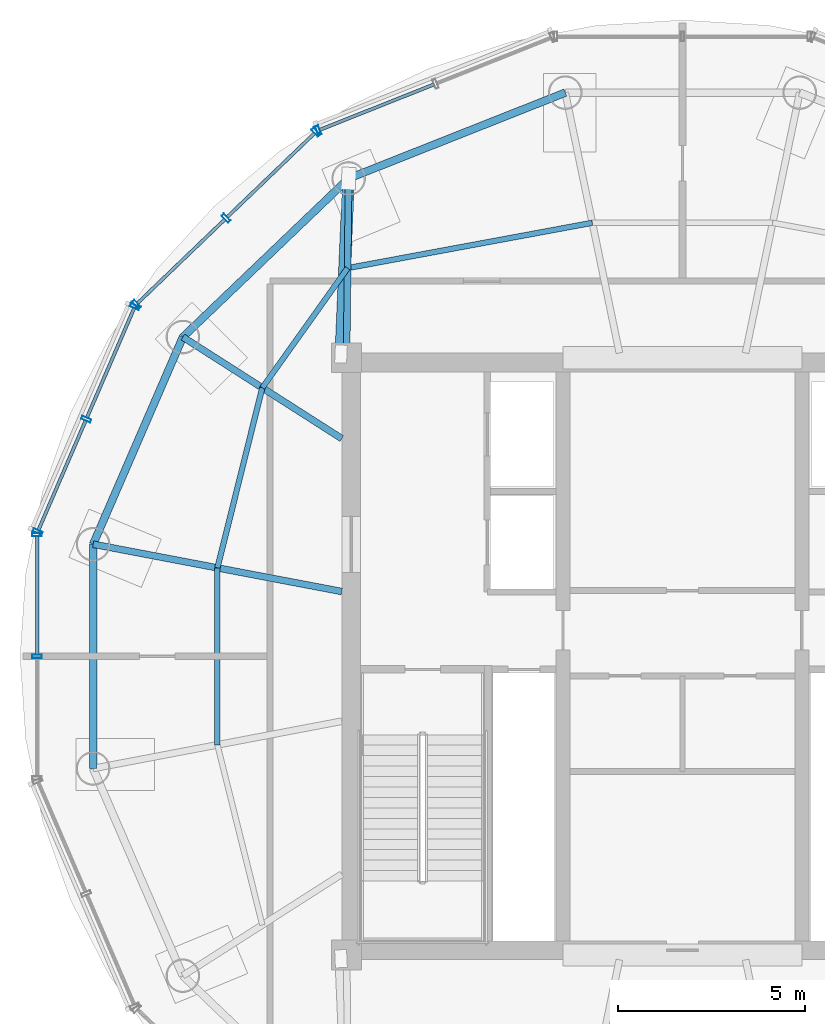
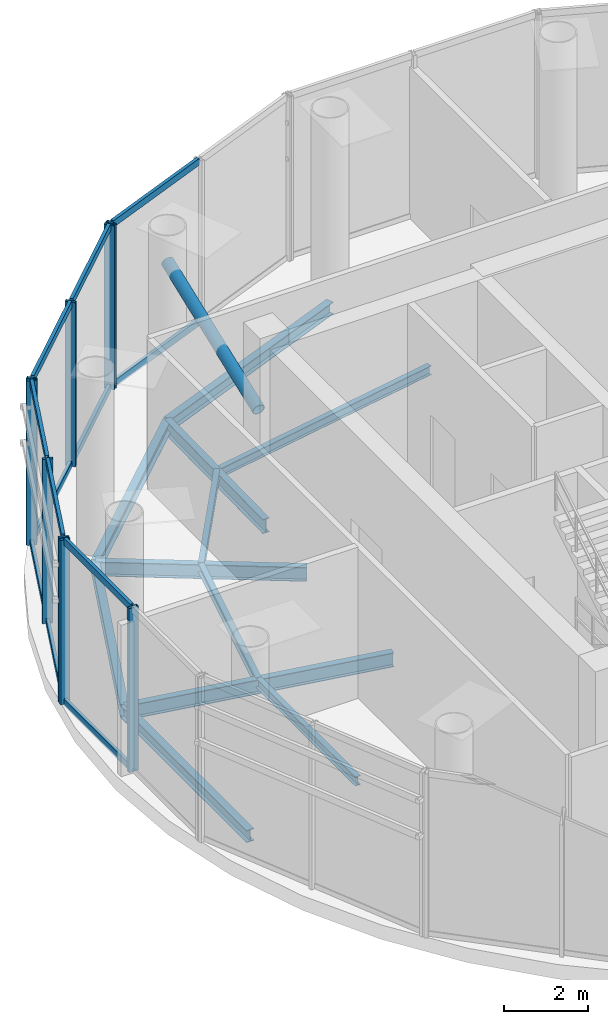
# One storey, part 6 of 15: 22 members, 11 beams, 4 elements without a shape of their own.
"""IFC4 building model written with IfcOpenShell, lengths in metres."""

from ifc_helpers import new_model, si_unit, direction, frame, origin, origin_2d, place, context, subcontext, project, spatial, hollow_rectangle, hollow_circle, i_section, extrude, source, transform, mapped, material, material_profile, profile_set, type_object, element, aggregate, save


model = new_model("IFC4")

# Units and contexts
model_context = context("Model", 3, precision=1e-05, world=origin(), true_north=direction((-0.2419218956, 0.970295726276)))
body_context = subcontext(model_context, "Body", "Model", "MODEL_VIEW")
ifc_project = project(units=[si_unit("LENGTHUNIT", "METRE"), si_unit("AREAUNIT", "SQUARE_METRE"), si_unit("VOLUMEUNIT", "CUBIC_METRE"), si_unit("PLANEANGLEUNIT", "RADIAN"), si_unit("MASSUNIT", "GRAM", prefix="KILO")], contexts=[model_context])

# Site, building, storey
site_placement = place(None, origin())
site = spatial("IfcSite", under=ifc_project, at=site_placement, CompositionType="ELEMENT")
building_placement = place(site_placement, origin())
building = spatial("IfcBuilding", under=site, at=building_placement, Name="Cobrevalo Terracotta Tower", CompositionType="ELEMENT")
storey_placement = place(building_placement, frame((0.0, 0.0, 316.5)))
storey = spatial("IfcBuildingStorey", under=building, at=storey_placement, Name="L82", CompositionType="ELEMENT", Elevation=316.5)

# Beams
ifc_material_1 = material(Name="Steel S355", Category="steel")
ifc_material_profile_1 = material_profile(ifc_material_1, i_section(OverallWidth=0.179931640625, OverallDepth=0.4130859375, WebThickness=0.009765625, FlangeThickness=0.01611328125, at=origin_2d()), Name="W 410x75")
ifc_profile_set_1 = profile_set([ifc_material_profile_1], Name="Steel S355")
beam_type_1 = type_object("IfcBeamType", Name="Structural Beam W 410x75 (Steel S355)", PredefinedType="BEAM", material=ifc_profile_set_1)
beam_1_placement = place(storey_placement, frame((29.055419921875, 39.604736328125, -0.62646484375), z_axis=(-0.01153378561, -0.999933483683, 0.0), x_axis=(0.999933483683, -0.01153378561, 0.0)))
element("IfcBeam", 1, at=beam_1_placement, inside=storey, type_object=beam_type_1, Name="L82 radial floor girder 06", PredefinedType="BEAM", context=body_context, shape_type="SweptSolid", body=[
    extrude(i_section(OverallWidth=0.179931640625, OverallDepth=0.4130859375, WebThickness=0.009765625, FlangeThickness=0.01611328125, at=origin_2d()), origin(), (0.0, 0.0, 1.0), 4.804931640625),
])
beam_2_placement = place(storey_placement, frame((24.61328125, 35.355712890625, -0.62646484375), z_axis=(0.842623166291, -0.538503667239, 0.0), x_axis=(0.538503667239, 0.842623166291, 0.0)))
element("IfcBeam", 2, at=beam_2_placement, inside=storey, type_object=beam_type_1, Name="L82 radial floor girder 07", PredefinedType="BEAM", context=body_context, shape_type="SweptSolid", body=[
    extrude(i_section(OverallWidth=0.179931640625, OverallDepth=0.4130859375, WebThickness=0.009765625, FlangeThickness=0.01611328125, at=origin_2d()), origin(), (0.0, 0.0, 1.0), 5.052001953125),
])
beam_3_placement = place(storey_placement, frame((22.20947265625, 29.804443359375, -0.62646484375), z_axis=(0.982375422254, -0.186918510993, 0.0), x_axis=(0.186918510993, 0.982375422254, 0.0)))
element("IfcBeam", 3, at=beam_3_placement, inside=storey, type_object=beam_type_1, Name="L82 radial floor girder 08", PredefinedType="BEAM", context=body_context, shape_type="SweptSolid", body=[
    extrude(i_section(OverallWidth=0.179931640625, OverallDepth=0.4130859375, WebThickness=0.009765625, FlangeThickness=0.01611328125, at=origin_2d()), origin(), (0.0, 0.0, 1.0), 6.780029296875),
])
ifc_material_profile_2 = material_profile(ifc_material_1, i_section(OverallWidth=0.14794921875, OverallDepth=0.26611328125, WebThickness=0.007568359375, FlangeThickness=0.012939453125, at=origin_2d()), Name="W 250x44.8")
ifc_profile_set_2 = profile_set([ifc_material_profile_2], Name="Steel S355")
beam_type_2 = type_object("IfcBeamType", Name="Structural Joist W 250x44.8 (Steel S355)", PredefinedType="JOIST", material=ifc_profile_set_2)
beam_4_placement = place(storey_placement, frame((35.584228515625, 38.4169921875, -0.552978515625), z_axis=(-0.98327107767, -0.182148257797, 0.0), x_axis=(0.182148257797, -0.98327107767, 0.0)))
element("IfcBeam", 4, at=beam_4_placement, inside=storey, type_object=beam_type_2, Name="L82 circumferential secondary floor joist 05", PredefinedType="JOIST", context=body_context, shape_type="SweptSolid", body=[
    extrude(i_section(OverallWidth=0.14794921875, OverallDepth=0.26611328125, WebThickness=0.007568359375, FlangeThickness=0.012939453125, at=origin_2d()), origin(), (0.0, 0.0, 1.0), 6.668212890625),
])
beam_5_placement = place(storey_placement, frame((29.027587890625, 37.202392578125, -0.552978515625), z_axis=(-0.58045210377, -0.814294391009, 0.0), x_axis=(0.814294391009, -0.58045210377, 0.0)))
element("IfcBeam", 5, at=beam_5_placement, inside=storey, type_object=beam_type_2, Name="L82 circumferential secondary floor joist 06", PredefinedType="JOIST", context=body_context, shape_type="SweptSolid", body=[
    extrude(i_section(OverallWidth=0.14794921875, OverallDepth=0.26611328125, WebThickness=0.007568359375, FlangeThickness=0.012939453125, at=origin_2d()), origin(), (0.0, 0.0, 1.0), 3.938232421875),
])
beam_6_placement = place(storey_placement, frame((26.74169921875, 33.99560546875, -0.552978515625), z_axis=(-0.241715293121, -0.970347214698, 0.0), x_axis=(0.970347214698, -0.241715293121, 0.0)))
element("IfcBeam", 6, at=beam_6_placement, inside=storey, type_object=beam_type_2, Name="L82 circumferential secondary floor joist 07", PredefinedType="JOIST", context=body_context, shape_type="SweptSolid", body=[
    extrude(i_section(OverallWidth=0.14794921875, OverallDepth=0.26611328125, WebThickness=0.007568359375, FlangeThickness=0.012939453125, at=origin_2d()), origin(), (0.0, 0.0, 1.0), 4.972412109375),
])
beam_7_placement = place(storey_placement, frame((25.539794921875, 29.170654296875, -0.552978515625), z_axis=(0.0, -1.0, 0.0), x_axis=(1.0, 0.0, 0.0)))
element("IfcBeam", 7, at=beam_7_placement, inside=storey, type_object=beam_type_2, Name="L82 circumferential secondary floor joist 08", PredefinedType="JOIST", context=body_context, shape_type="SweptSolid", body=[
    extrude(i_section(OverallWidth=0.14794921875, OverallDepth=0.26611328125, WebThickness=0.007568359375, FlangeThickness=0.012939453125, at=origin_2d()), origin(), (0.0, 0.0, 1.0), 4.741455078125),
])
ifc_material_profile_3 = material_profile(ifc_material_1, i_section(OverallWidth=0.205078125, OverallDepth=0.35400390625, WebThickness=0.009521484375, FlangeThickness=0.016845703125, at=origin_2d()), Name="W 360x79")
ifc_profile_set_3 = profile_set([ifc_material_profile_3], Name="Steel S355")
beam_type_3 = type_object("IfcBeamType", Name="Structural Spandrel W 360x79 (Steel S355)", PredefinedType="SPANDREL", material=ifc_profile_set_3)
beam_8_placement = place(storey_placement, frame((34.859130859375, 41.904052734375, -0.596923828125), z_axis=(-0.929696156532, -0.368327376839, 0.0), x_axis=(0.368327376839, -0.929696156532, 0.0)))
element("IfcBeam", 8, at=beam_8_placement, inside=storey, type_object=beam_type_3, Name="L82 perimeter ring spandrel 05", PredefinedType="SPANDREL", context=body_context, shape_type="SweptSolid", body=[
    extrude(i_section(OverallWidth=0.205078125, OverallDepth=0.35400390625, WebThickness=0.009521484375, FlangeThickness=0.016845703125, at=origin_2d()), origin(), (0.0, 0.0, 1.0), 6.24267578125),
])
beam_9_placement = place(storey_placement, frame((29.055419921875, 39.604736328125, -0.596923828125), z_axis=(-0.72264013205, -0.691224449475, 0.0), x_axis=(0.691224449475, -0.72264013205, 0.0)))
element("IfcBeam", 9, at=beam_9_placement, inside=storey, type_object=beam_type_3, Name="L82 perimeter ring spandrel 06", PredefinedType="SPANDREL", context=body_context, shape_type="SweptSolid", body=[
    extrude(i_section(OverallWidth=0.205078125, OverallDepth=0.35400390625, WebThickness=0.009521484375, FlangeThickness=0.016845703125, at=origin_2d()), origin(), (0.0, 0.0, 1.0), 6.147216796875),
])
beam_10_placement = place(storey_placement, frame((24.61328125, 35.355712890625, -0.596923828125), z_axis=(-0.397365049134, -0.917660622304, 0.0), x_axis=(0.917660622304, -0.397365049134, 0.0)))
element("IfcBeam", 10, at=beam_10_placement, inside=storey, type_object=beam_type_3, Name="L82 perimeter ring spandrel 07", PredefinedType="SPANDREL", context=body_context, shape_type="SweptSolid", body=[
    extrude(i_section(OverallWidth=0.205078125, OverallDepth=0.35400390625, WebThickness=0.009521484375, FlangeThickness=0.016845703125, at=origin_2d()), origin(), (0.0, 0.0, 1.0), 6.04931640625),
])
beam_11_placement = place(storey_placement, frame((22.20947265625, 29.804443359375, -0.596923828125), z_axis=(0.0, -1.0, 0.0), x_axis=(1.0, 0.0, 0.0)))
element("IfcBeam", 11, at=beam_11_placement, inside=storey, type_object=beam_type_3, Name="L82 perimeter ring spandrel 08", PredefinedType="SPANDREL", context=body_context, shape_type="SweptSolid", body=[
    extrude(i_section(OverallWidth=0.205078125, OverallDepth=0.35400390625, WebThickness=0.009521484375, FlangeThickness=0.016845703125, at=origin_2d()), origin(), (0.0, 0.0, 1.0), 6.0087890625),
])

# Member
ifc_material_profile_4 = material_profile(ifc_material_1, hollow_circle(Radius=0.162109375, WallThickness=0.013916015625, at=origin_2d()), Name="CHS 324x14")
ifc_profile_set_4 = profile_set([ifc_material_profile_4], Name="Steel S355")
member_type_1 = type_object("IfcMemberType", Name="Steel Brace CHS 324x14 (Steel S355)", PredefinedType="BRACE", material=ifc_profile_set_4)
shared_shape_1 = source(origin(), body_context, "Body", "SweptSolid", [
    extrude(hollow_circle(Radius=0.162109375, WallThickness=0.013916015625, at=origin_2d()), origin(), (0.0, 0.0, 1.0), 4.9072265625),
])
member_1_placement = place(storey_placement, frame((28.85009765625, 34.89990234375, 2.75), z_axis=(0.041840080102, 0.958739814085, 0.281189218474), x_axis=(-0.999049102523, 0.043599205813, 0.0)))
element("IfcMember", 12, at=member_1_placement, inside=storey, type_object=member_type_1, Name="L82 CROWN FRAME radial brace 02", PredefinedType="BRACE", context=body_context, shape_type="MappedRepresentation", body=[
    mapped(shared_shape_1, transform((0.0, 0.0, 0.0), scale=1.0)),
])

# Curtain wall, members
ifc_material_2 = material(Name="Anodized aluminium", Category="aluminium")
curtain_wall_type = type_object("IfcCurtainWallType", Name="Faceted glass-point crown structural glazing system CW-CR", PredefinedType="NOTDEFINED", material=ifc_material_2)
curtain_wall_1_placement = place(storey_placement, origin())
curtain_wall_1 = element("IfcCurtainWall", 13, at=curtain_wall_1_placement, inside=storey, type_object=curtain_wall_type, Name="L82 curtain wall CW-CRN-L82-S07", PredefinedType="NOTDEFINED")
ifc_material_profile_5 = material_profile(ifc_material_2, hollow_rectangle(XDim=0.090087890625, YDim=0.195068359375, WallThickness=0.005615234375, at=origin_2d()), Name="CWT 90x195")
ifc_profile_set_5 = profile_set([ifc_material_profile_5], Name="Anodized aluminium")
member_type_2 = type_object("IfcMemberType", Name="Crown structural aluminium transom 90x195", PredefinedType="USERDEFINED", material=ifc_profile_set_5)
shared_shape_2 = source(origin(), body_context, "Body", "SweptSolid", [
    extrude(hollow_rectangle(XDim=0.090087890625, YDim=0.195068359375, WallThickness=0.005615234375, at=origin_2d()), origin(), (0.0, 0.0, 1.0), 3.203369140625),
])
member_2_placement = place(storey_placement, frame((22.009033203125, 33.11767578125, 0.050048828125), z_axis=(-0.396015512265, -0.918243820587, 0.0), x_axis=(0.918243820587, -0.396015512265, 0.0)))
member_2 = element("IfcMember", 14, at=member_2_placement, type_object=member_type_2, Name="CW-CRN-L82-S07 transom B02-T1", ObjectType="TRANSOM", PredefinedType="USERDEFINED", context=body_context, shape_type="MappedRepresentation", body=[
    mapped(shared_shape_2, transform((0.0, 0.0, 0.0), scale=1.0)),
])
member_3_placement = place(storey_placement, frame((22.009033203125, 33.11767578125, 4.72998046875), z_axis=(-0.396015512265, -0.918243820587, 0.0), x_axis=(0.918243820587, -0.396015512265, 0.0)))
member_3 = element("IfcMember", 15, at=member_3_placement, type_object=member_type_2, Name="CW-CRN-L82-S07 transom B02-T2", ObjectType="TRANSOM", PredefinedType="USERDEFINED", context=body_context, shape_type="MappedRepresentation", body=[
    mapped(shared_shape_2, transform((0.0, 0.0, 0.0), scale=1.0)),
])
shared_shape_3 = source(origin(), body_context, "Body", "SweptSolid", [
    extrude(hollow_rectangle(XDim=0.090087890625, YDim=0.195068359375, WallThickness=0.005615234375, at=origin_2d()), origin(), (0.0, 0.0, 1.0), 3.203125),
])
member_4_placement = place(storey_placement, frame((23.3095703125, 36.13232421875, 0.050048828125), z_axis=(-0.396107491553, -0.918204146765, 0.0), x_axis=(0.918204146765, -0.396107491553, 0.0)))
member_4 = element("IfcMember", 16, at=member_4_placement, type_object=member_type_2, Name="CW-CRN-L82-S07 transom B01-T1", ObjectType="TRANSOM", PredefinedType="USERDEFINED", context=body_context, shape_type="MappedRepresentation", body=[
    mapped(shared_shape_3, transform((0.0, 0.0, 0.0), scale=1.0)),
])
member_5_placement = place(storey_placement, frame((23.3095703125, 36.13232421875, 4.72998046875), z_axis=(-0.396107491553, -0.918204146765, 0.0), x_axis=(0.918204146765, -0.396107491553, 0.0)))
member_5 = element("IfcMember", 17, at=member_5_placement, type_object=member_type_2, Name="CW-CRN-L82-S07 transom B01-T2", ObjectType="TRANSOM", PredefinedType="USERDEFINED", context=body_context, shape_type="MappedRepresentation", body=[
    mapped(shared_shape_3, transform((0.0, 0.0, 0.0), scale=1.0)),
])

curtain_wall_2_placement = place(storey_placement, origin())
curtain_wall_2 = element("IfcCurtainWall", 18, at=curtain_wall_2_placement, inside=storey, type_object=curtain_wall_type, Name="L82 curtain wall CW-CRN-L82-S06", PredefinedType="NOTDEFINED")
shared_shape_4 = source(origin(), body_context, "Body", "SweptSolid", [
    extrude(hollow_rectangle(XDim=0.090087890625, YDim=0.195068359375, WallThickness=0.005615234375, at=origin_2d()), origin(), (0.0, 0.0, 1.0), 3.251953125),
])
member_6_placement = place(storey_placement, frame((28.147705078125, 40.8212890625, 0.050048828125), z_axis=(-0.721337809763, -0.692583398737, 0.0), x_axis=(0.692583398737, -0.721337809763, 0.0)))
member_6 = element("IfcMember", 19, at=member_6_placement, type_object=member_type_2, Name="CW-CRN-L82-S06 transom B01-T1", ObjectType="TRANSOM", PredefinedType="USERDEFINED", context=body_context, shape_type="MappedRepresentation", body=[
    mapped(shared_shape_4, transform((0.0, 0.0, 0.0), scale=1.0)),
])
member_7_placement = place(storey_placement, frame((28.147705078125, 40.8212890625, 4.72998046875), z_axis=(-0.721337809763, -0.692583398737, 0.0), x_axis=(0.692583398737, -0.721337809763, 0.0)))
member_7 = element("IfcMember", 20, at=member_7_placement, type_object=member_type_2, Name="CW-CRN-L82-S06 transom B01-T2", ObjectType="TRANSOM", PredefinedType="USERDEFINED", context=body_context, shape_type="MappedRepresentation", body=[
    mapped(shared_shape_4, transform((0.0, 0.0, 0.0), scale=1.0)),
])
member_8_placement = place(storey_placement, frame((25.744384765625, 38.513671875, 0.050048828125), z_axis=(-0.721264285966, -0.692659966932, 0.0), x_axis=(0.692659966932, -0.721264285966, 0.0)))
member_8 = element("IfcMember", 21, at=member_8_placement, type_object=member_type_2, Name="CW-CRN-L82-S06 transom B02-T1", ObjectType="TRANSOM", PredefinedType="USERDEFINED", context=body_context, shape_type="MappedRepresentation", body=[
    mapped(shared_shape_4, transform((0.0, 0.0, 0.0), scale=1.0)),
])
member_9_placement = place(storey_placement, frame((25.744384765625, 38.513671875, 4.72998046875), z_axis=(-0.721264285966, -0.692659966932, 0.0), x_axis=(0.692659966932, -0.721264285966, 0.0)))
member_9 = element("IfcMember", 22, at=member_9_placement, type_object=member_type_2, Name="CW-CRN-L82-S06 transom B02-T2", ObjectType="TRANSOM", PredefinedType="USERDEFINED", context=body_context, shape_type="MappedRepresentation", body=[
    mapped(shared_shape_4, transform((0.0, 0.0, 0.0), scale=1.0)),
])

curtain_wall_3_placement = place(storey_placement, origin())
curtain_wall_3 = element("IfcCurtainWall", 23, at=curtain_wall_3_placement, inside=storey, type_object=curtain_wall_type, Name="L82 curtain wall CW-CRN-L82-S05", PredefinedType="NOTDEFINED")
shared_shape_5 = source(origin(), body_context, "Body", "SweptSolid", [
    extrude(hollow_rectangle(XDim=0.090087890625, YDim=0.195068359375, WallThickness=0.005615234375, at=origin_2d()), origin(), (0.0, 0.0, 1.0), 3.2998046875),
])
member_10_placement = place(storey_placement, frame((31.345703125, 42.1259765625, 0.050048828125), z_axis=(-0.92917915641, -0.369629673177, 0.0), x_axis=(0.369629673177, -0.92917915641, 0.0)))
member_10 = element("IfcMember", 24, at=member_10_placement, type_object=member_type_2, Name="CW-CRN-L82-S05 transom B02-T1", ObjectType="TRANSOM", PredefinedType="USERDEFINED", context=body_context, shape_type="MappedRepresentation", body=[
    mapped(shared_shape_5, transform((0.0, 0.0, 0.0), scale=1.0)),
])
member_11_placement = place(storey_placement, frame((31.345703125, 42.1259765625, 4.72998046875), z_axis=(-0.92917915641, -0.369629673177, 0.0), x_axis=(0.369629673177, -0.92917915641, 0.0)))
member_11 = element("IfcMember", 25, at=member_11_placement, type_object=member_type_2, Name="CW-CRN-L82-S05 transom B02-T2", ObjectType="TRANSOM", PredefinedType="USERDEFINED", context=body_context, shape_type="MappedRepresentation", body=[
    mapped(shared_shape_5, transform((0.0, 0.0, 0.0), scale=1.0)),
])

curtain_wall_4_placement = place(storey_placement, origin())
curtain_wall_4 = element("IfcCurtainWall", 26, at=curtain_wall_4_placement, inside=storey, type_object=curtain_wall_type, Name="L82 curtain wall CW-CRN-L82-S08", PredefinedType="NOTDEFINED")
shared_shape_6 = source(origin(), body_context, "Body", "SweptSolid", [
    extrude(hollow_rectangle(XDim=0.090087890625, YDim=0.195068359375, WallThickness=0.005615234375, at=origin_2d()), origin(), (0.0, 0.0, 1.0), 3.182861328125),
])
member_12_placement = place(storey_placement, frame((20.708740234375, 30.02294921875, 0.050048828125), z_axis=(0.0, -1.0, 0.0), x_axis=(1.0, 0.0, 0.0)))
member_12 = element("IfcMember", 27, at=member_12_placement, type_object=member_type_2, Name="CW-CRN-L82-S08 transom B01-T1", ObjectType="TRANSOM", PredefinedType="USERDEFINED", context=body_context, shape_type="MappedRepresentation", body=[
    mapped(shared_shape_6, transform((0.0, 0.0, 0.0), scale=1.0)),
])
member_13_placement = place(storey_placement, frame((20.708740234375, 30.02294921875, 4.72998046875), z_axis=(0.0, -1.0, 0.0), x_axis=(1.0, 0.0, 0.0)))
member_13 = element("IfcMember", 28, at=member_13_placement, type_object=member_type_2, Name="CW-CRN-L82-S08 transom B01-T2", ObjectType="TRANSOM", PredefinedType="USERDEFINED", context=body_context, shape_type="MappedRepresentation", body=[
    mapped(shared_shape_6, transform((0.0, 0.0, 0.0), scale=1.0)),
])

# Member
ifc_material_profile_6 = material_profile(ifc_material_2, hollow_rectangle(XDim=0.090087890625, YDim=0.260009765625, WallThickness=0.006103515625, at=origin_2d()), Name="CWM 90x260")
ifc_profile_set_6 = profile_set([ifc_material_profile_6], Name="Anodized aluminium")
member_type_3 = type_object("IfcMemberType", Name="Crown structural glass mullion 90x260", PredefinedType="MULLION", material=ifc_profile_set_6)
shared_shape_7 = source(origin(), body_context, "Body", "SweptSolid", [
    extrude(hollow_rectangle(XDim=0.090087890625, YDim=0.260009765625, WallThickness=0.006103515625, at=origin_2d()), origin(), (0.0, 0.0, 1.0), 4.780029296875),
])
member_14_placement = place(storey_placement, frame((28.242431640625, 40.8916015625, 0.0), z_axis=(0.0, 0.0, 1.0), x_axis=(-0.929190639756, -0.36960080491, 0.0)))
member_14 = element("IfcMember", 29, at=member_14_placement, type_object=member_type_3, Name="CW-CRN-L82-S05 vertical mullion 03", PredefinedType="MULLION", context=body_context, shape_type="MappedRepresentation", body=[
    mapped(shared_shape_7, transform((0.0, 0.0, 0.0), scale=1.0)),
])

aggregate(curtain_wall_3, [member_14, member_10, member_11])

member_15_placement = place(storey_placement, frame((28.176513671875, 40.84912109375, 0.0), z_axis=(0.0, 0.0, 1.0), x_axis=(-0.721276845158, -0.692646888854, 0.0)))
member_15 = element("IfcMember", 30, at=member_15_placement, type_object=member_type_3, Name="CW-CRN-L82-S06 vertical mullion 01", PredefinedType="MULLION", context=body_context, shape_type="MappedRepresentation", body=[
    mapped(shared_shape_7, transform((0.0, 0.0, 0.0), scale=1.0)),
])

member_16_placement = place(storey_placement, frame((25.773193359375, 38.541259765625, 0.0), z_axis=(0.0, 0.0, 1.0), x_axis=(-0.721276845158, -0.692646888854, 0.0)))
member_16 = element("IfcMember", 31, at=member_16_placement, type_object=member_type_3, Name="CW-CRN-L82-S06 vertical mullion 02", PredefinedType="MULLION", context=body_context, shape_type="MappedRepresentation", body=[
    mapped(shared_shape_7, transform((0.0, 0.0, 0.0), scale=1.0)),
])

member_17_placement = place(storey_placement, frame((23.3701171875, 36.2333984375, 0.0), z_axis=(0.0, 0.0, 1.0), x_axis=(-0.721276845158, -0.692646888854, 0.0)))
member_17 = element("IfcMember", 32, at=member_17_placement, type_object=member_type_3, Name="CW-CRN-L82-S06 vertical mullion 03", PredefinedType="MULLION", context=body_context, shape_type="MappedRepresentation", body=[
    mapped(shared_shape_7, transform((0.0, 0.0, 0.0), scale=1.0)),
])

aggregate(curtain_wall_2, [member_15, member_16, member_17, member_6, member_7, member_8, member_9])

member_18_placement = place(storey_placement, frame((23.325439453125, 36.169189453125, 0.0), z_axis=(0.0, 0.0, 1.0), x_axis=(-0.396058398073, -0.918225323826, 0.0)))
member_18 = element("IfcMember", 33, at=member_18_placement, type_object=member_type_3, Name="CW-CRN-L82-S07 vertical mullion 01", PredefinedType="MULLION", context=body_context, shape_type="MappedRepresentation", body=[
    mapped(shared_shape_7, transform((0.0, 0.0, 0.0), scale=1.0)),
])

member_19_placement = place(storey_placement, frame((22.02490234375, 33.154296875, 0.0), z_axis=(0.0, 0.0, 1.0), x_axis=(-0.396058398073, -0.918225323826, 0.0)))
member_19 = element("IfcMember", 34, at=member_19_placement, type_object=member_type_3, Name="CW-CRN-L82-S07 vertical mullion 02", PredefinedType="MULLION", context=body_context, shape_type="MappedRepresentation", body=[
    mapped(shared_shape_7, transform((0.0, 0.0, 0.0), scale=1.0)),
])

member_20_placement = place(storey_placement, frame((20.724609375, 30.1396484375, 0.0), z_axis=(0.0, 0.0, 1.0), x_axis=(-0.396058398073, -0.918225323826, 0.0)))
member_20 = element("IfcMember", 35, at=member_20_placement, type_object=member_type_3, Name="CW-CRN-L82-S07 vertical mullion 03", PredefinedType="MULLION", context=body_context, shape_type="MappedRepresentation", body=[
    mapped(shared_shape_7, transform((0.0, 0.0, 0.0), scale=1.0)),
])

aggregate(curtain_wall_1, [member_18, member_19, member_20, member_4, member_5, member_2, member_3])

member_21_placement = place(storey_placement, frame((20.708740234375, 30.06298828125, 0.0), z_axis=(0.0, 0.0, 1.0), x_axis=(0.0, -1.0, 0.0)))
member_21 = element("IfcMember", 36, at=member_21_placement, type_object=member_type_3, Name="CW-CRN-L82-S08 vertical mullion 01", PredefinedType="MULLION", context=body_context, shape_type="MappedRepresentation", body=[
    mapped(shared_shape_7, transform((0.0, 0.0, 0.0), scale=1.0)),
])

member_22_placement = place(storey_placement, frame((20.708740234375, 26.800048828125, 0.0), z_axis=(0.0, 0.0, 1.0), x_axis=(0.0, -1.0, 0.0)))
member_22 = element("IfcMember", 37, at=member_22_placement, type_object=member_type_3, Name="CW-CRN-L82-S08 vertical mullion 02", PredefinedType="MULLION", context=body_context, shape_type="MappedRepresentation", body=[
    mapped(shared_shape_7, transform((0.0, 0.0, 0.0), scale=1.0)),
])

aggregate(curtain_wall_4, [member_21, member_22, member_12, member_13])

save(model, "model.ifc")
